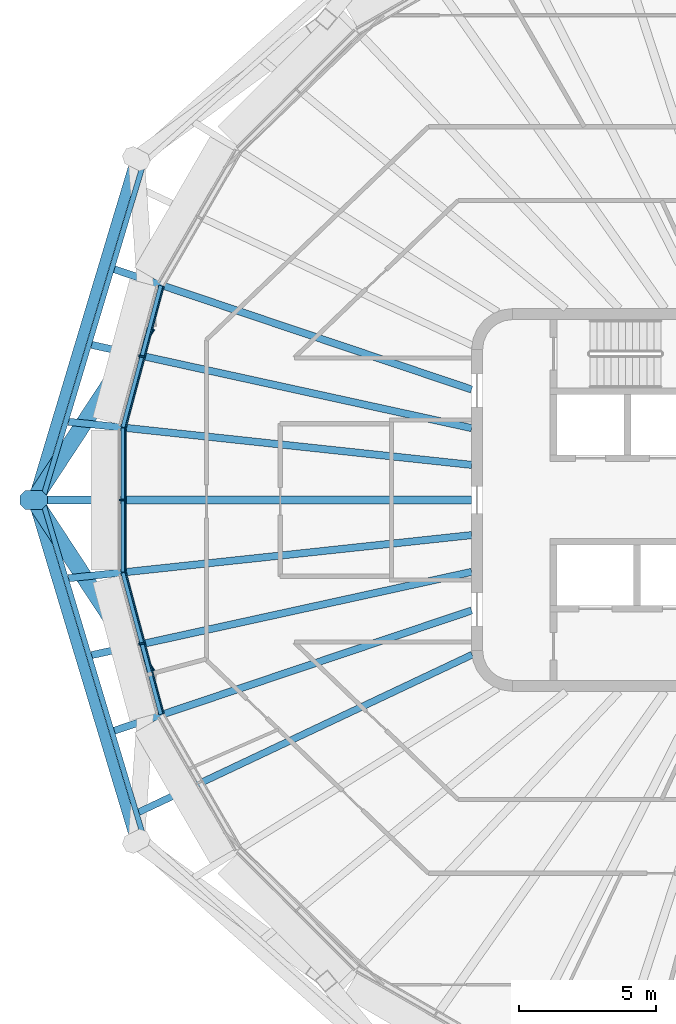
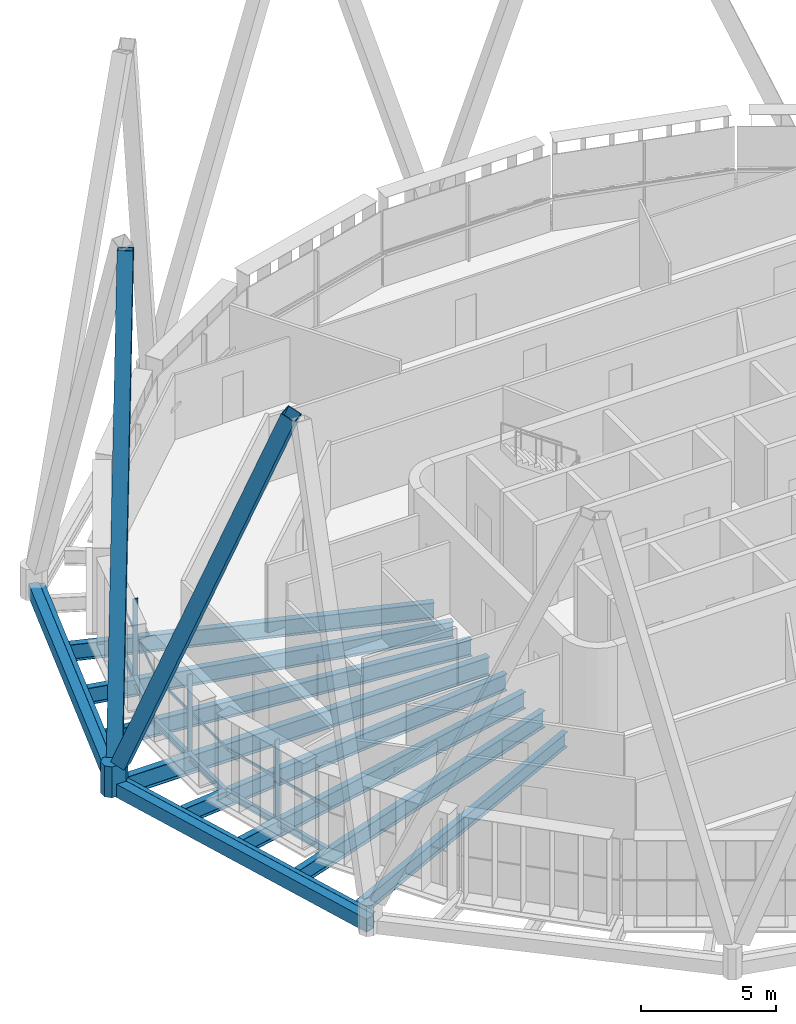
# One storey, part 2 of 18: 15 beams, 9 members, 3 elements without a shape of their own.
"""IFC4 building model written with IfcOpenShell, lengths in metres."""

from ifc_helpers import new_model, si_unit, direction, frame, origin, origin_2d, place, context, subcontext, project, spatial, polyline, rectangle, hollow_rectangle, i_section, outline, extrude, material, layer, layer_set, material_profile, profile_set, type_object, element, aggregate, save


model = new_model("IFC4")

# Units and contexts
model_context = context("Model", 3, precision=1e-05, world=origin(), true_north=direction((0.0, 1.0)))
body_context = subcontext(model_context, "Body", "Model", "MODEL_VIEW")
ifc_project = project(units=[si_unit("LENGTHUNIT", "METRE"), si_unit("AREAUNIT", "SQUARE_METRE"), si_unit("VOLUMEUNIT", "CUBIC_METRE"), si_unit("PLANEANGLEUNIT", "RADIAN"), si_unit("MASSUNIT", "GRAM", prefix="KILO")], contexts=[model_context])

# Site, building, storey
site_placement = place(None, origin())
site = spatial("IfcSite", under=ifc_project, at=site_placement, CompositionType="ELEMENT")
building_placement = place(site_placement, origin())
building = spatial("IfcBuilding", under=site, at=building_placement, Name="Sahrelin Media Tower", CompositionType="ELEMENT")
storey_placement = place(building_placement, frame((0.0, 0.0, 316.39990234375)))
storey = spatial("IfcBuildingStorey", under=building, at=storey_placement, Name="L70", CompositionType="ELEMENT", Elevation=316.39990234375)

# Members
ifc_material_1 = material(Name="Steel S460", Category="steel")
ifc_material_profile_1 = material_profile(ifc_material_1, hollow_rectangle(XDim=0.60009765625, YDim=0.60009765625, WallThickness=0.030029296875, at=origin_2d()), Name="Diagrid diagonal DG9")
ifc_profile_set_1 = profile_set([ifc_material_profile_1], Name="Steel S460")
member_type_1 = type_object("IfcMemberType", Name="Diagrid diagonal DG9", PredefinedType="BRACE", material=ifc_profile_set_1)
for number, where, z_axis, x_axis, name in (
    (1, (-27.865478515625, 0.23046875, 0.7001953125), (0.200801506234, 0.306263315542, 0.930527558242), (-0.836278045072, 0.548305600309, 0.0), "Diagrid diagonal D16-11"),
    (2, (-27.865478515625, -0.23046875, 0.7001953125), (0.200801506234, -0.306263315542, 0.930527558242), (0.836278045072, 0.548305600309, 0.0), "Diagrid diagonal D16-12"),
):
    element("IfcMember", number, at=place(storey_placement, frame(where, z_axis=z_axis, x_axis=x_axis)), inside=storey, type_object=member_type_1, Name=name, PredefinedType="BRACE", context=body_context, shape_type="SweptSolid", body=[
        extrude(hollow_rectangle(XDim=0.60009765625, YDim=0.60009765625, WallThickness=0.030029296875, at=origin_2d()), origin(), (0.0, 0.0, 1.0), 19.34375),
    ])
ifc_material_profile_2 = material_profile(ifc_material_1, outline(polyline([(0.300048828125, -0.35009765625), (0.5, -0.14990234375), (0.5, 0.14990234375), (0.300048828125, 0.35009765625), (-0.300048828125, 0.35009765625), (-0.5, 0.14990234375), (-0.5, -0.14990234375), (-0.300048828125, -0.35009765625), (0.300048828125, -0.35009765625)])), Name="Diagrid node block 1000")
ifc_profile_set_2 = profile_set([ifc_material_profile_2], Name="Steel S460")
member_type_2 = type_object("IfcMemberType", Name="Diagrid node block 1000", PredefinedType="USERDEFINED", material=ifc_profile_set_2)
member_1_placement = place(storey_placement, frame((-28.0166015625, 0.0, -0.699951171875), z_axis=(0.0, 0.0, 1.0), x_axis=(-1.0, 0.0, 0.0)))
element("IfcMember", 3, at=member_1_placement, inside=storey, type_object=member_type_2, Name="Diagrid node N16-06", ObjectType="NODE", PredefinedType="USERDEFINED", context=body_context, shape_type="SweptSolid", body=[
    extrude(outline(polyline([(0.300048828125, -0.35009765625), (0.5, -0.14990234375), (0.5, 0.14990234375), (0.300048828125, 0.35009765625), (-0.300048828125, 0.35009765625), (-0.5, 0.14990234375), (-0.5, -0.14990234375), (-0.300048828125, -0.35009765625), (0.300048828125, -0.35009765625)])), origin(), (0.0, 0.0, 1.0), 1.400146484375),
])

# Beams
ifc_material_profile_3 = material_profile(ifc_material_1, hollow_rectangle(XDim=0.39990234375, YDim=0.60009765625, WallThickness=0.030029296875, at=origin_2d()), Name="Diagrid ring beam RB1")
ifc_profile_set_3 = profile_set([ifc_material_profile_3], Name="Steel S460")
beam_type_1 = type_object("IfcBeamType", Name="Diagrid ring beam RB1", PredefinedType="BEAM", material=ifc_profile_set_3)
for number, where, z_axis, x_axis, name in (
    (4, (-24.26318359375, 12.481201171875, -0.449951171875), (-0.287985396497, -0.957634800644, 0.0), (0.957634800644, -0.287985396497, 0.0), "Diagrid ring beam RB16-05"),
    (5, (-28.0166015625, 0.0, -0.449951171875), (0.287985396497, -0.957634800644, 0.0), (0.957634800644, 0.287985396497, 0.0), "Diagrid ring beam RB16-06"),
):
    element("IfcBeam", number, at=place(storey_placement, frame(where, z_axis=z_axis, x_axis=x_axis)), inside=storey, type_object=beam_type_1, Name=name, PredefinedType="BEAM", context=body_context, shape_type="SweptSolid", body=[
        extrude(hollow_rectangle(XDim=0.39990234375, YDim=0.60009765625, WallThickness=0.030029296875, at=origin_2d()), origin(), (0.0, 0.0, 1.0), 13.033447265625),
    ])
ifc_material_2 = material(Name="Steel S355", Category="steel")
ifc_material_profile_4 = material_profile(ifc_material_2, i_section(OverallWidth=0.1650390625, OverallDepth=0.303466796875, WebThickness=0.006103515625, FlangeThickness=0.01025390625, FilletRadius=0.0087890625, at=origin_2d()), Name="UB 305x165x40")
ifc_profile_set_4 = profile_set([ifc_material_profile_4], Name="Steel S355")
beam_type_2 = type_object("IfcBeamType", Name="Edge beam EB2", PredefinedType="BEAM", material=ifc_profile_set_4)
beam_1_placement = place(storey_placement, frame((-23.35693359375, -7.83642578125, -0.301513671875), z_axis=(-0.258799061773, 0.965931180585, 0.0), x_axis=(-0.965931180585, -0.258799061773, 0.0)))
element("IfcBeam", 6, at=beam_1_placement, inside=storey, type_object=beam_type_2, Name="Edge beam L70-12", PredefinedType="BEAM", context=body_context, shape_type="SweptSolid", body=[
    extrude(i_section(OverallWidth=0.1650390625, OverallDepth=0.303466796875, WebThickness=0.006103515625, FlangeThickness=0.01025390625, FilletRadius=0.0087890625, at=origin_2d()), origin(), (0.0, 0.0, 1.0), 5.361083984375),
])
beam_2_placement = place(storey_placement, frame((-24.748291015625, -2.62939453125, -0.301513671875), z_axis=(0.0, 1.0, 0.0), x_axis=(-1.0, 0.0, 0.0)))
element("IfcBeam", 7, at=beam_2_placement, inside=storey, type_object=beam_type_2, Name="Edge beam L70-13", PredefinedType="BEAM", context=body_context, shape_type="SweptSolid", body=[
    extrude(i_section(OverallWidth=0.1650390625, OverallDepth=0.303466796875, WebThickness=0.006103515625, FlangeThickness=0.01025390625, FilletRadius=0.0087890625, at=origin_2d()), origin(), (0.0, 0.0, 1.0), 5.2587890625),
])
beam_3_placement = place(storey_placement, frame((-24.744384765625, 2.657958984375, -0.301513671875), z_axis=(0.258799061773, 0.965931180585, 0.0), x_axis=(-0.965931180585, 0.258799061773, 0.0)))
element("IfcBeam", 8, at=beam_3_placement, inside=storey, type_object=beam_type_2, Name="Edge beam L70-14", PredefinedType="BEAM", context=body_context, shape_type="SweptSolid", body=[
    extrude(i_section(OverallWidth=0.1650390625, OverallDepth=0.303466796875, WebThickness=0.006103515625, FlangeThickness=0.01025390625, FilletRadius=0.0087890625, at=origin_2d()), origin(), (0.0, 0.0, 1.0), 5.361083984375),
])

# Curtain wall, member
ifc_material_3 = material(Name="Champagne anodised aluminium 6063-T6", Category="aluminium")
ifc_layer = layer(ifc_material_3, 0.14990234375)
ifc_layer_set = layer_set([ifc_layer], Name="Tower ribbon curtain wall")
curtain_wall_type = type_object("IfcCurtainWallType", Name="Tower ribbon curtain wall", PredefinedType="NOTDEFINED", material=ifc_layer_set)
curtain_wall_1_placement = place(storey_placement, frame((-24.195556640625, 5.285888671875, 0.0), z_axis=(0.0, 0.0, 1.0), x_axis=(1.0, 0.0, 0.0)))
curtain_wall_1 = element("IfcCurtainWall", 9, at=curtain_wall_1_placement, inside=storey, type_object=curtain_wall_type, Name="L70:CW:L70-11", PredefinedType="NOTDEFINED")
ifc_material_profile_5 = material_profile(ifc_material_3, rectangle(XDim=0.06005859375, YDim=0.199951171875, at=origin_2d()), Name="Mullion 60x200")
ifc_profile_set_5 = profile_set([ifc_material_profile_5], Name="Champagne anodised aluminium 6063-T6")
member_type_3 = type_object("IfcMemberType", Name="Mullion 60x200 CW1C", PredefinedType="MULLION", material=ifc_profile_set_5)
member_2_placement = place(storey_placement, frame((-24.07958984375, 5.2548828125, 0.0), z_axis=(0.0, 0.0, 1.0), x_axis=(-0.258820730961, -0.965925374563, 0.0)))
member_2 = element("IfcMember", 10, at=member_2_placement, type_object=member_type_3, Name="L70:CWM:L70-11", PredefinedType="MULLION", context=body_context, shape_type="SweptSolid", body=[
    extrude(rectangle(XDim=0.06005859375, YDim=0.199951171875, at=origin_2d()), origin(), (0.0, 0.0, 1.0), 3.44873046875),
])

curtain_wall_2_placement = place(storey_placement, frame((-24.898193359375, 0.0, 0.0), z_axis=(0.0, 0.0, 1.0), x_axis=(1.0, 0.0, 0.0)))
curtain_wall_2 = element("IfcCurtainWall", 11, at=curtain_wall_2_placement, inside=storey, type_object=curtain_wall_type, Name="L70:CW:L70-12", PredefinedType="NOTDEFINED")
member_3_placement = place(storey_placement, frame((-24.7783203125, 0.0, 0.0), z_axis=(0.0, 0.0, 1.0), x_axis=(0.0, -1.0, 0.0)))
member_3 = element("IfcMember", 12, at=member_3_placement, type_object=member_type_3, Name="L70:CWM:L70-12", PredefinedType="MULLION", context=body_context, shape_type="SweptSolid", body=[
    extrude(rectangle(XDim=0.06005859375, YDim=0.199951171875, at=origin_2d()), origin(), (0.0, 0.0, 1.0), 3.44873046875),
])

curtain_wall_3_placement = place(storey_placement, frame((-24.195556640625, -5.285888671875, 0.0), z_axis=(0.0, 0.0, 1.0), x_axis=(1.0, 0.0, 0.0)))
curtain_wall_3 = element("IfcCurtainWall", 13, at=curtain_wall_3_placement, inside=storey, type_object=curtain_wall_type, Name="L70:CW:L70-13", PredefinedType="NOTDEFINED")
member_4_placement = place(storey_placement, frame((-24.07958984375, -5.2548828125, 0.0), z_axis=(0.0, 0.0, 1.0), x_axis=(0.258820730961, -0.965925374563, 0.0)))
member_4 = element("IfcMember", 14, at=member_4_placement, type_object=member_type_3, Name="L70:CWM:L70-13", PredefinedType="MULLION", context=body_context, shape_type="SweptSolid", body=[
    extrude(rectangle(XDim=0.06005859375, YDim=0.199951171875, at=origin_2d()), origin(), (0.0, 0.0, 1.0), 3.44873046875),
])

# Beams
ifc_material_profile_6 = material_profile(ifc_material_2, i_section(OverallWidth=0.26513671875, OverallDepth=0.75390625, WebThickness=0.0126953125, FlangeThickness=0.017578125, FilletRadius=0.0166015625, at=origin_2d()), Name="UB 762x267x147")
ifc_profile_set_6 = profile_set([ifc_material_profile_6], Name="Steel S355")
beam_type_3 = type_object("IfcBeamType", Name="Radial primary beam PB9", PredefinedType="BEAM", material=ifc_profile_set_6)
beam_4_placement = place(storey_placement, frame((-12.0, 4.03955078125, -0.52685546875), z_axis=(-0.947742354637, 0.319036720812, 0.0), x_axis=(-0.319036720812, -0.947742354637, 0.0)))
element("IfcBeam", 15, at=beam_4_placement, inside=storey, type_object=beam_type_3, Name="Radial beam L70-11", PredefinedType="BEAM", context=body_context, shape_type="SweptSolid", body=[
    extrude(i_section(OverallWidth=0.26513671875, OverallDepth=0.75390625, WebThickness=0.0126953125, FlangeThickness=0.017578125, FilletRadius=0.0166015625, at=origin_2d()), origin(), (0.0, 0.0, 1.0), 13.78662109375),
])
for number, where, z_axis, x_axis, name in (
    (16, (-12.0, 1.28369140625, -0.52685546875), (-0.994325275642, 0.106382546588, 0.0), (-0.106382546588, -0.994325275642, 0.0), "Radial beam L70-12"),
    (17, (-12.0, -1.28369140625, -0.52685546875), (-0.994325275642, -0.106382546588, 0.0), (0.106382546588, -0.994325275642, 0.0), "Radial beam L70-13"),
):
    element("IfcBeam", number, at=place(storey_placement, frame(where, z_axis=z_axis, x_axis=x_axis)), inside=storey, type_object=beam_type_3, Name=name, PredefinedType="BEAM", context=body_context, shape_type="SweptSolid", body=[
        extrude(i_section(OverallWidth=0.26513671875, OverallDepth=0.75390625, WebThickness=0.0126953125, FlangeThickness=0.017578125, FilletRadius=0.0166015625, at=origin_2d()), origin(), (0.0, 0.0, 1.0), 14.82763671875),
    ])
beam_5_placement = place(storey_placement, frame((-12.0, -4.03955078125, -0.52685546875), z_axis=(-0.947742354637, -0.319036720812, 0.0), x_axis=(0.319036720812, -0.947742354637, 0.0)))
element("IfcBeam", 18, at=beam_5_placement, inside=storey, type_object=beam_type_3, Name="Radial beam L70-14", PredefinedType="BEAM", context=body_context, shape_type="SweptSolid", body=[
    extrude(i_section(OverallWidth=0.26513671875, OverallDepth=0.75390625, WebThickness=0.0126953125, FlangeThickness=0.017578125, FilletRadius=0.0166015625, at=origin_2d()), origin(), (0.0, 0.0, 1.0), 13.78662109375),
])
ifc_material_profile_7 = material_profile(ifc_material_2, i_section(OverallWidth=0.291748046875, OverallDepth=0.8349609375, WebThickness=0.013916015625, FlangeThickness=0.018798828125, FilletRadius=0.017822265625, at=origin_2d()), Name="UB 838x292x176")
ifc_profile_set_7 = profile_set([ifc_material_profile_7], Name="Steel S355")
beam_type_4 = type_object("IfcBeamType", Name="Radial secondary beam SB10", PredefinedType="BEAM", material=ifc_profile_set_7)
beam_6_placement = place(storey_placement, frame((-12.0, 0.0, -0.5673828125), z_axis=(-1.0, 0.0, 0.0), x_axis=(0.0, -1.0, 0.0)))
element("IfcBeam", 19, at=beam_6_placement, inside=storey, type_object=beam_type_4, Name="Secondary beam L70-12", PredefinedType="BEAM", context=body_context, shape_type="SweptSolid", body=[
    extrude(i_section(OverallWidth=0.291748046875, OverallDepth=0.8349609375, WebThickness=0.013916015625, FlangeThickness=0.018798828125, FilletRadius=0.017822265625, at=origin_2d()), origin(), (0.0, 0.0, 1.0), 15.603759765625),
])
ifc_material_profile_8 = material_profile(ifc_material_2, i_section(OverallWidth=0.2529296875, OverallDepth=0.677978515625, WebThickness=0.01171875, FlangeThickness=0.01611328125, FilletRadius=0.01513671875, at=origin_2d()), Name="UB 686x254x125")
ifc_profile_set_8 = profile_set([ifc_material_profile_8], Name="Steel S355")
beam_type_5 = type_object("IfcBeamType", Name="Radial secondary beam SB8", PredefinedType="BEAM", material=ifc_profile_set_8)
beam_7_placement = place(storey_placement, frame((-11.979248046875, -5.656982421875, -0.489013671875), z_axis=(-0.904247481471, -0.42700877304, 0.0), x_axis=(0.42700877304, -0.904247481471, 0.0)))
element("IfcBeam", 20, at=beam_7_placement, inside=storey, type_object=beam_type_5, Name="Secondary beam L70-14", PredefinedType="BEAM", context=body_context, shape_type="SweptSolid", body=[
    extrude(i_section(OverallWidth=0.2529296875, OverallDepth=0.677978515625, WebThickness=0.01171875, FlangeThickness=0.01611328125, FilletRadius=0.01513671875, at=origin_2d()), origin(), (0.0, 0.0, 1.0), 13.48291015625),
])
ifc_material_profile_9 = material_profile(ifc_material_2, i_section(OverallWidth=0.26513671875, OverallDepth=0.75390625, WebThickness=0.0126953125, FlangeThickness=0.017578125, FilletRadius=0.0166015625, at=origin_2d()), Name="UB 762x267x147")
ifc_profile_set_9 = profile_set([ifc_material_profile_9], Name="Steel S355")
beam_type_6 = type_object("IfcBeamType", Name="Radial secondary beam SB9", PredefinedType="BEAM", material=ifc_profile_set_9)
for number, where, z_axis, x_axis, name in (
    (21, (-12.0, 2.628662109375, -0.52685546875), (-0.976840310685, 0.213969641352, 0.0), (-0.213969641352, -0.976840310685, 0.0), "Secondary beam L70-11"),
    (22, (-12.0, -2.628662109375, -0.52685546875), (-0.976840310685, -0.213969641352, 0.0), (0.213969641352, -0.976840310685, 0.0), "Secondary beam L70-13"),
):
    element("IfcBeam", number, at=place(storey_placement, frame(where, z_axis=z_axis, x_axis=x_axis)), inside=storey, type_object=beam_type_6, Name=name, PredefinedType="BEAM", context=body_context, shape_type="SweptSolid", body=[
        extrude(i_section(OverallWidth=0.26513671875, OverallDepth=0.75390625, WebThickness=0.0126953125, FlangeThickness=0.017578125, FilletRadius=0.0166015625, at=origin_2d()), origin(), (0.0, 0.0, 1.0), 14.227294921875),
    ])
ifc_material_profile_10 = material_profile(ifc_material_2, i_section(OverallWidth=0.1904296875, OverallDepth=0.45703125, WebThickness=0.009033203125, FlangeThickness=0.014404296875, FilletRadius=0.01025390625, at=origin_2d()), Name="UB 457x191x74")
ifc_profile_set_10 = profile_set([ifc_material_profile_10], Name="Steel S355")
beam_type_7 = type_object("IfcBeamType", Name="Tie chord TC5", PredefinedType="BEAM", material=ifc_profile_set_10)
for number, where, z_axis, x_axis, name in (
    (23, (-24.000244140625, -12.3134765625, -0.37841796875), (-0.28797840637, 0.957636902727, 0.0), (-0.957636902727, -0.28797840637, 0.0), "Tie chord L70-06"),
    (24, (-27.703125, 0.0, -0.37841796875), (0.28797840637, 0.957636902727, 0.0), (-0.957636902727, 0.28797840637, 0.0), "Tie chord L70-07"),
):
    element("IfcBeam", number, at=place(storey_placement, frame(where, z_axis=z_axis, x_axis=x_axis)), inside=storey, type_object=beam_type_7, Name=name, PredefinedType="BEAM", context=body_context, shape_type="SweptSolid", body=[
        extrude(i_section(OverallWidth=0.1904296875, OverallDepth=0.45703125, WebThickness=0.009033203125, FlangeThickness=0.014404296875, FilletRadius=0.01025390625, at=origin_2d()), origin(), (0.0, 0.0, 1.0), 12.858154296875),
    ])

# Member
ifc_material_profile_11 = material_profile(ifc_material_3, rectangle(XDim=0.050048828125, YDim=0.1201171875, at=origin_2d()), Name="Transom 50x120")
ifc_profile_set_11 = profile_set([ifc_material_profile_11], Name="Champagne anodised aluminium 6063-T6")
member_type_4 = type_object("IfcMemberType", Name="Transom 50x120 CW1C", PredefinedType="USERDEFINED", material=ifc_profile_set_11)
member_5_placement = place(storey_placement, frame((-23.269287109375, 7.796630859375, 1.60009765625), z_axis=(-0.258820042164, -0.965925559127, 0.0), x_axis=(0.965925559127, -0.258820042164, 0.0)))
member_5 = element("IfcMember", 25, at=member_5_placement, type_object=member_type_4, Name="L70:CWT:L70-11", ObjectType="TRANSOM", PredefinedType="USERDEFINED", context=body_context, shape_type="SweptSolid", body=[
    extrude(rectangle(XDim=0.050048828125, YDim=0.1201171875, at=origin_2d()), origin(), (0.0, 0.0, 1.0), 5.32958984375),
])

aggregate(curtain_wall_1, [member_2, member_5])

member_6_placement = place(storey_placement, frame((-24.6533203125, 2.61376953125, 1.60009765625), z_axis=(0.0, -1.0, 0.0), x_axis=(1.0, 0.0, 0.0)))
member_6 = element("IfcMember", 26, at=member_6_placement, type_object=member_type_4, Name="L70:CWT:L70-12", ObjectType="TRANSOM", PredefinedType="USERDEFINED", context=body_context, shape_type="SweptSolid", body=[
    extrude(rectangle(XDim=0.050048828125, YDim=0.1201171875, at=origin_2d()), origin(), (0.0, 0.0, 1.0), 5.2275390625),
])

aggregate(curtain_wall_2, [member_3, member_6])

member_7_placement = place(storey_placement, frame((-24.648681640625, -2.648681640625, 1.60009765625), z_axis=(0.258820042164, -0.965925559127, 0.0), x_axis=(0.965925559127, 0.258820042164, 0.0)))
member_7 = element("IfcMember", 27, at=member_7_placement, type_object=member_type_4, Name="L70:CWT:L70-13", ObjectType="TRANSOM", PredefinedType="USERDEFINED", context=body_context, shape_type="SweptSolid", body=[
    extrude(rectangle(XDim=0.050048828125, YDim=0.1201171875, at=origin_2d()), origin(), (0.0, 0.0, 1.0), 5.32958984375),
])

aggregate(curtain_wall_3, [member_4, member_7])

save(model, "model.ifc")
